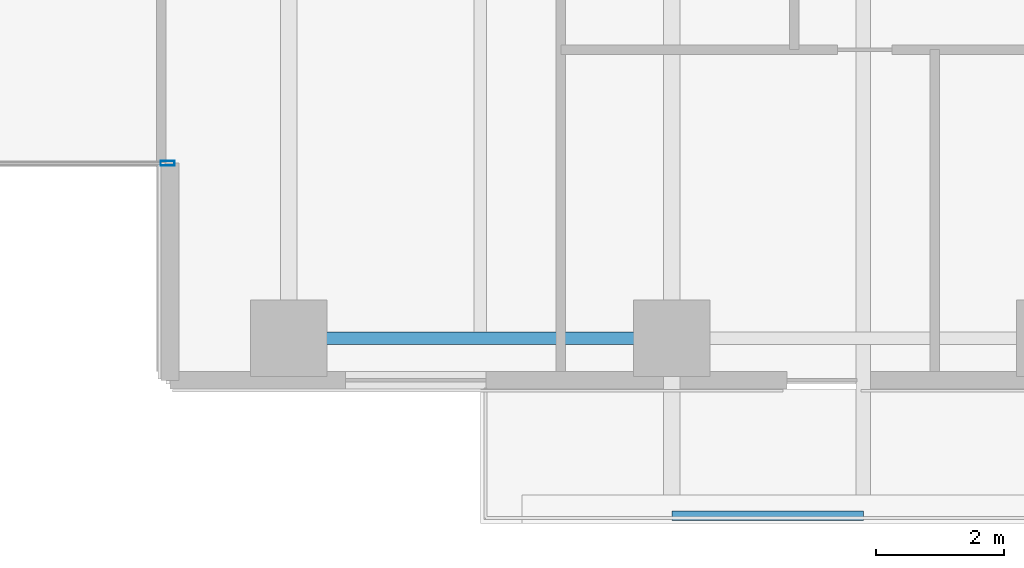
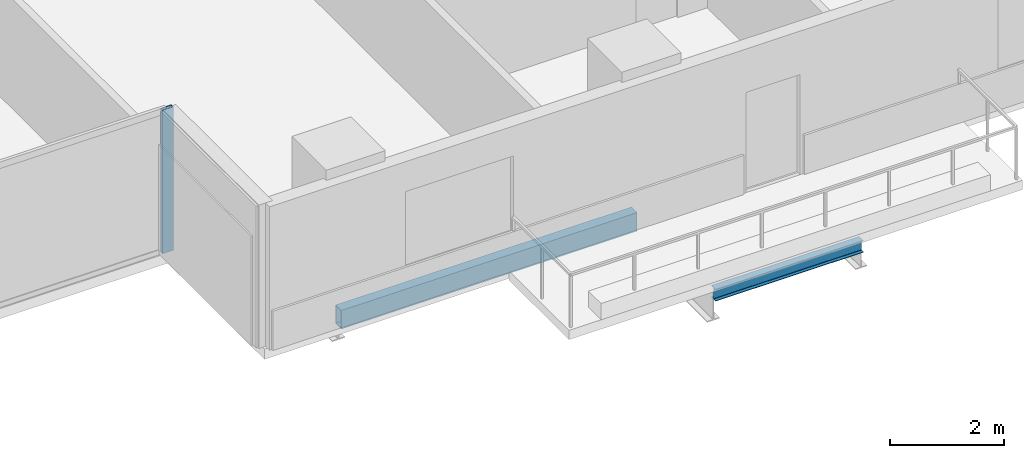
# One storey, part 6 of 33: 2 beams, 1 member, 1 element without a shape of its own.
"""IFC4 building model written with IfcOpenShell, lengths in metres."""

from ifc_helpers import new_model, si_unit, direction, frame, origin, origin_2d, place, context, subcontext, project, spatial, hollow_rectangle, i_section, extrude, material, layer, layer_set, material_profile, profile_set, type_object, element, aggregate, save


model = new_model("IFC4")

# Units and contexts
model_context = context("Model", 3, precision=1e-05, world=origin(), true_north=direction((0.0, 1.0)))
body_context = subcontext(model_context, "Body", "Model", "MODEL_VIEW")
ifc_project = project(units=[si_unit("LENGTHUNIT", "METRE"), si_unit("AREAUNIT", "SQUARE_METRE"), si_unit("VOLUMEUNIT", "CUBIC_METRE"), si_unit("PLANEANGLEUNIT", "RADIAN"), si_unit("MASSUNIT", "GRAM", prefix="KILO")], contexts=[model_context])

# Site, building, storey
site_placement = place(None, origin())
site = spatial("IfcSite", under=ifc_project, at=site_placement, CompositionType="ELEMENT")
building_placement = place(site_placement, origin())
building = spatial("IfcBuilding", under=site, at=building_placement, Name="Tanjung Sevakor Pilgrim Tower", CompositionType="ELEMENT")
storey_placement = place(building_placement, frame((0.0, 0.0, 38.93994140625)))
storey = spatial("IfcBuildingStorey", under=building, at=storey_placement, Name="L10", CompositionType="ELEMENT", Elevation=38.93994140625)

# Beams
ifc_material_1 = material(Name="Steel S355J2", Category="steel")
ifc_material_profile_1 = material_profile(ifc_material_1, i_section(OverallWidth=0.146484375, OverallDepth=0.256103515625, WebThickness=0.00634765625, FlangeThickness=0.010986328125, FilletRadius=0.007568359375, at=origin_2d()))
ifc_profile_set_1 = profile_set([ifc_material_profile_1], Name="Steel S355J2")
beam_type_1 = type_object("IfcBeamType", Name="BM-B-J6-UB_254x146x37", PredefinedType="JOIST", material=ifc_profile_set_1)
beam_1_placement = place(storey_placement, frame((60.0, 5.6201171875, -0.327880859375), z_axis=(1.0, 0.0, 0.0), x_axis=(0.0, 1.0, 0.0)))
element("IfcBeam", 1, at=beam_1_placement, inside=storey, type_object=beam_type_1, Name="L10 Balcony Rim Tie MAIN-S2", PredefinedType="JOIST", context=body_context, shape_type="SweptSolid", body=[
    extrude(i_section(OverallWidth=0.146484375, OverallDepth=0.256103515625, WebThickness=0.00634765625, FlangeThickness=0.010986328125, FilletRadius=0.007568359375, at=origin_2d()), origin(), (0.0, 0.0, 1.0), 3.0),
])
ifc_material_2 = material(Name="Steel S355J2", Category="steel")
ifc_material_profile_2 = material_profile(ifc_material_2, hollow_rectangle(XDim=0.199951171875, YDim=0.39990234375, WallThickness=0.01611328125, at=origin_2d()))
ifc_profile_set_2 = profile_set([ifc_material_profile_2], Name="Steel S355J2")
beam_type_2 = type_object("IfcBeamType", Name="BM-B-SP2-RHS_400x200x16", PredefinedType="SPANDREL", material=ifc_profile_set_2)
beam_2_placement = place(storey_placement, frame((54.0, 8.39990234375, -0.419921875), z_axis=(1.0, 0.0, 0.0), x_axis=(0.0, 1.0, 0.0)))
element("IfcBeam", 2, at=beam_2_placement, inside=storey, type_object=beam_type_2, Name="L10 Spandrel MAIN S-07", PredefinedType="SPANDREL", context=body_context, shape_type="SweptSolid", body=[
    extrude(hollow_rectangle(XDim=0.199951171875, YDim=0.39990234375, WallThickness=0.01611328125, at=origin_2d()), origin(), (0.0, 0.0, 1.0), 6.0),
])

# Curtain wall, member
ifc_material_3 = material(Name="Aluminium 6063-T6 and Low-E Glass", Category="aluminium")
ifc_layer = layer(ifc_material_3, 0.179931640625)
ifc_layer_set = layer_set([ifc_layer], Name="CW-SYS-CLEFT")
curtain_wall_type = type_object("IfcCurtainWallType", Name="CW-SYS-CLEFT", PredefinedType="NOTDEFINED", material=ifc_layer_set)
curtain_wall_placement = place(storey_placement, origin())
curtain_wall = element("IfcCurtainWall", 3, at=curtain_wall_placement, inside=storey, type_object=curtain_wall_type, Name="L10 Curtain Wall CW-CLF-L10-2", PredefinedType="NOTDEFINED")
ifc_material_4 = material(Name="Aluminium 6063-T6", Category="aluminium")
ifc_material_profile_3 = material_profile(ifc_material_4, hollow_rectangle(XDim=0.074951171875, YDim=0.219970703125, WallThickness=0.0048828125, at=origin_2d()))
ifc_profile_set_3 = profile_set([ifc_material_profile_3], Name="Aluminium 6063-T6")
member_type = type_object("IfcMemberType", Name="TYPE-CWM-2", PredefinedType="MULLION", material=ifc_profile_set_3)
member_placement = place(storey_placement, frame((52.1025390625, 11.139892578125, 0.0), z_axis=(0.0, 0.0, 1.0), x_axis=(0.0, 1.0, 0.0)))
member = element("IfcMember", 4, at=member_placement, type_object=member_type, Name="CW-CLF mullion 2", PredefinedType="MULLION", context=body_context, shape_type="SweptSolid", body=[
    extrude(hollow_rectangle(XDim=0.074951171875, YDim=0.219970703125, WallThickness=0.0048828125, at=origin_2d()), origin(), (0.0, 0.0, 1.0), 3.080078125),
])
aggregate(curtain_wall, [member])

save(model, "model.ifc")
